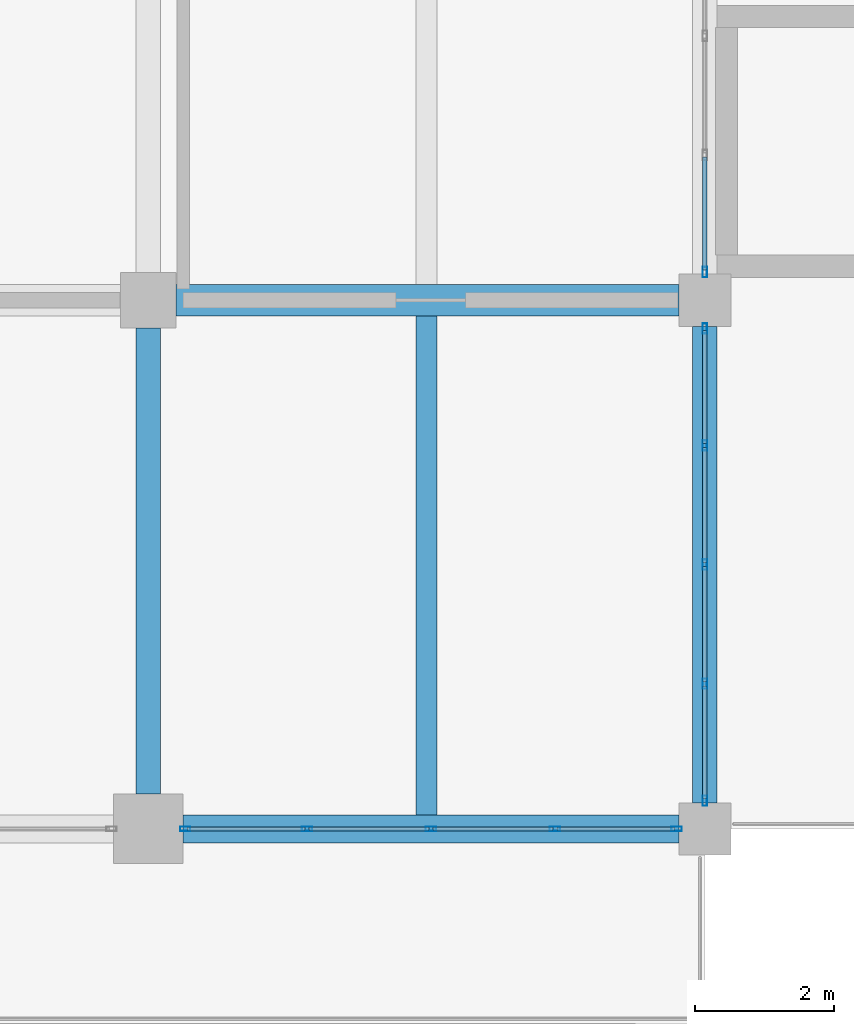
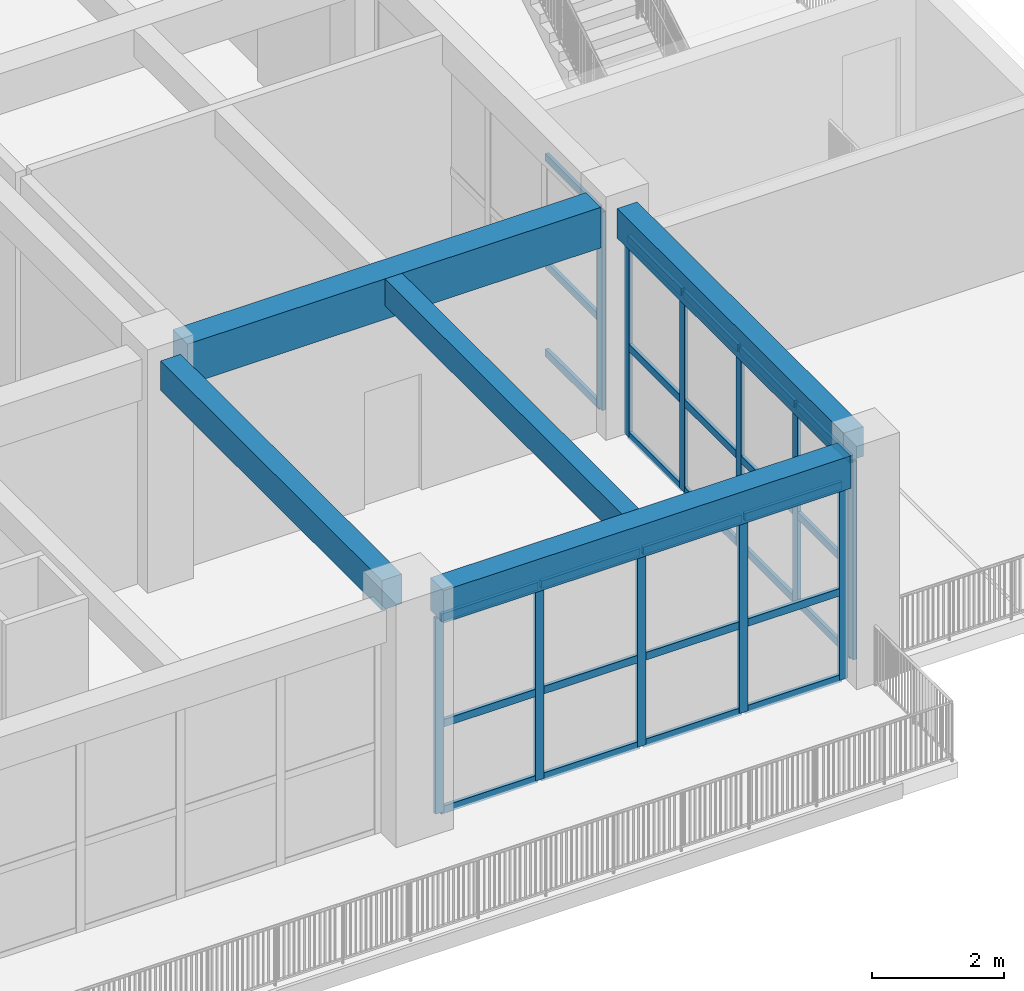
# One storey, part 27 of 79: 38 members, 5 beams, 3 elements without a shape of their own.
"""IFC4 building model written with IfcOpenShell, lengths in metres."""

from ifc_helpers import new_model, si_unit, direction, frame, origin, origin_2d, place, context, subcontext, project, spatial, rectangle, hollow_rectangle, extrude, material, material_profile, profile_set, type_object, element, aggregate, save


model = new_model("IFC4")

# Units and contexts
model_context = context("Model", 3, precision=1e-05, world=origin(), true_north=direction((0.0, 1.0)))
body_context = subcontext(model_context, "Body", "Model", "MODEL_VIEW")
ifc_project = project(units=[si_unit("LENGTHUNIT", "METRE"), si_unit("AREAUNIT", "SQUARE_METRE"), si_unit("VOLUMEUNIT", "CUBIC_METRE"), si_unit("PLANEANGLEUNIT", "RADIAN"), si_unit("MASSUNIT", "GRAM", prefix="KILO")], contexts=[model_context])

# Site, building, storey
site_placement = place(None, origin())
site = spatial("IfcSite", under=ifc_project, at=site_placement, CompositionType="ELEMENT")
building_placement = place(site_placement, origin())
building = spatial("IfcBuilding", under=site, at=building_placement, Name="Zantavel Square City Hall", CompositionType="ELEMENT")
storey_placement = place(building_placement, frame((0.0, 0.0, 10.199951171875)))
storey = spatial("IfcBuildingStorey", under=building, at=storey_placement, Name="L03", CompositionType="ELEMENT", Elevation=10.199951171875)

# Curtain wall, member
ifc_material_1 = material(Name="Anodised aluminium 6063-T6", Category="aluminium")
curtain_wall_type_1 = type_object("IfcCurtainWallType", Name="Curtain Wall TRV1 6850x3670", PredefinedType="USERDEFINED", material=ifc_material_1)
curtain_wall_1_placement = place(storey_placement, origin())
curtain_wall_1 = element("IfcCurtainWall", 1, at=curtain_wall_1_placement, inside=storey, type_object=curtain_wall_type_1, Name="L03 Glazed Curtain Wall CW-L03-092", ObjectType="GLAZED CURTAIN WALL", PredefinedType="USERDEFINED")
ifc_material_profile_1 = material_profile(ifc_material_1, hollow_rectangle(XDim=0.06494140625, YDim=0.14990234375, WallThickness=0.00390625, at=origin_2d()), Name="ALU 65x150x4")
ifc_profile_set_1 = profile_set([ifc_material_profile_1], Name="Anodised aluminium 6063-T6")
member_type_1 = type_object("IfcMemberType", Name="CW Mullion ALU 65x150x4", PredefinedType="MULLION", material=ifc_profile_set_1)
member_1_placement = place(storey_placement, frame((112.0, 38.405029296875, 0.0), z_axis=(0.0, 0.0, 1.0), x_axis=(1.0, 0.0, 0.0)))
member_1 = element("IfcMember", 2, at=member_1_placement, type_object=member_type_1, Name="CW-092 mullion 5", PredefinedType="MULLION", context=body_context, shape_type="SweptSolid", body=[
    extrude(hollow_rectangle(XDim=0.06494140625, YDim=0.14990234375, WallThickness=0.00390625, at=origin_2d()), origin(), (0.0, 0.0, 1.0), 3.670166015625),
])

# Curtain wall, members
curtain_wall_2_placement = place(storey_placement, origin())
curtain_wall_2 = element("IfcCurtainWall", 3, at=curtain_wall_2_placement, inside=storey, type_object=curtain_wall_type_1, Name="L03 Glazed Curtain Wall CW-L03-093", ObjectType="GLAZED CURTAIN WALL", PredefinedType="USERDEFINED")
member_2_placement = place(storey_placement, frame((112.0, 37.594970703125, 0.0), z_axis=(0.0, 0.0, 1.0), x_axis=(1.0, 0.0, 0.0)))
member_2 = element("IfcMember", 4, at=member_2_placement, type_object=member_type_1, Name="CW-093 mullion 1", PredefinedType="MULLION", context=body_context, shape_type="SweptSolid", body=[
    extrude(hollow_rectangle(XDim=0.06494140625, YDim=0.14990234375, WallThickness=0.00390625, at=origin_2d()), origin(), (0.0, 0.0, 1.0), 3.670166015625),
])
member_3_placement = place(storey_placement, frame((112.0, 35.91259765625, 0.0), z_axis=(0.0, 0.0, 1.0), x_axis=(1.0, 0.0, 0.0)))
member_3 = element("IfcMember", 5, at=member_3_placement, type_object=member_type_1, Name="CW-093 mullion 2", PredefinedType="MULLION", context=body_context, shape_type="SweptSolid", body=[
    extrude(hollow_rectangle(XDim=0.06494140625, YDim=0.14990234375, WallThickness=0.00390625, at=origin_2d()), origin(), (0.0, 0.0, 1.0), 3.670166015625),
])
member_4_placement = place(storey_placement, frame((112.0, 34.199951171875, 0.0), z_axis=(0.0, 0.0, 1.0), x_axis=(1.0, 0.0, 0.0)))
member_4 = element("IfcMember", 6, at=member_4_placement, type_object=member_type_1, Name="CW-093 mullion 3", PredefinedType="MULLION", context=body_context, shape_type="SweptSolid", body=[
    extrude(hollow_rectangle(XDim=0.06494140625, YDim=0.14990234375, WallThickness=0.00390625, at=origin_2d()), origin(), (0.0, 0.0, 1.0), 3.670166015625),
])
member_5_placement = place(storey_placement, frame((112.0, 32.487548828125, 0.0), z_axis=(0.0, 0.0, 1.0), x_axis=(1.0, 0.0, 0.0)))
member_5 = element("IfcMember", 7, at=member_5_placement, type_object=member_type_1, Name="CW-093 mullion 4", PredefinedType="MULLION", context=body_context, shape_type="SweptSolid", body=[
    extrude(hollow_rectangle(XDim=0.06494140625, YDim=0.14990234375, WallThickness=0.00390625, at=origin_2d()), origin(), (0.0, 0.0, 1.0), 3.670166015625),
])
member_6_placement = place(storey_placement, frame((112.0, 30.804931640625, 0.0), z_axis=(0.0, 0.0, 1.0), x_axis=(1.0, 0.0, 0.0)))
member_6 = element("IfcMember", 8, at=member_6_placement, type_object=member_type_1, Name="CW-093 mullion 5", PredefinedType="MULLION", context=body_context, shape_type="SweptSolid", body=[
    extrude(hollow_rectangle(XDim=0.06494140625, YDim=0.14990234375, WallThickness=0.00390625, at=origin_2d()), origin(), (0.0, 0.0, 1.0), 3.670166015625),
])

curtain_wall_type_2 = type_object("IfcCurtainWallType", Name="Curtain Wall TRV1 7125x3620", PredefinedType="USERDEFINED", material=ifc_material_1)
curtain_wall_3_placement = place(storey_placement, origin())
curtain_wall_3 = element("IfcCurtainWall", 9, at=curtain_wall_3_placement, inside=storey, type_object=curtain_wall_type_2, Name="L03 Glazed Curtain Wall CW-L03-094", ObjectType="GLAZED CURTAIN WALL", PredefinedType="USERDEFINED")
member_7_placement = place(storey_placement, frame((111.594970703125, 30.39990234375, 0.0), z_axis=(0.0, 0.0, 1.0), x_axis=(0.0, -1.0, 0.0)))
member_7 = element("IfcMember", 10, at=member_7_placement, type_object=member_type_1, Name="CW-094 mullion 1", PredefinedType="MULLION", context=body_context, shape_type="SweptSolid", body=[
    extrude(hollow_rectangle(XDim=0.06494140625, YDim=0.14990234375, WallThickness=0.00390625, at=origin_2d()), origin(), (0.0, 0.0, 1.0), 3.6201171875),
])
member_8_placement = place(storey_placement, frame((109.84375, 30.39990234375, 0.0), z_axis=(0.0, 0.0, 1.0), x_axis=(0.0, -1.0, 0.0)))
member_8 = element("IfcMember", 11, at=member_8_placement, type_object=member_type_1, Name="CW-094 mullion 2", PredefinedType="MULLION", context=body_context, shape_type="SweptSolid", body=[
    extrude(hollow_rectangle(XDim=0.06494140625, YDim=0.14990234375, WallThickness=0.00390625, at=origin_2d()), origin(), (0.0, 0.0, 1.0), 3.6201171875),
])
member_9_placement = place(storey_placement, frame((108.0625, 30.39990234375, 0.0), z_axis=(0.0, 0.0, 1.0), x_axis=(0.0, -1.0, 0.0)))
member_9 = element("IfcMember", 12, at=member_9_placement, type_object=member_type_1, Name="CW-094 mullion 3", PredefinedType="MULLION", context=body_context, shape_type="SweptSolid", body=[
    extrude(hollow_rectangle(XDim=0.06494140625, YDim=0.14990234375, WallThickness=0.00390625, at=origin_2d()), origin(), (0.0, 0.0, 1.0), 3.6201171875),
])
member_10_placement = place(storey_placement, frame((106.28125, 30.39990234375, 0.0), z_axis=(0.0, 0.0, 1.0), x_axis=(0.0, -1.0, 0.0)))
member_10 = element("IfcMember", 13, at=member_10_placement, type_object=member_type_1, Name="CW-094 mullion 4", PredefinedType="MULLION", context=body_context, shape_type="SweptSolid", body=[
    extrude(hollow_rectangle(XDim=0.06494140625, YDim=0.14990234375, WallThickness=0.00390625, at=origin_2d()), origin(), (0.0, 0.0, 1.0), 3.6201171875),
])
member_11_placement = place(storey_placement, frame((104.530029296875, 30.39990234375, 0.0), z_axis=(0.0, 0.0, 1.0), x_axis=(0.0, -1.0, 0.0)))
member_11 = element("IfcMember", 14, at=member_11_placement, type_object=member_type_1, Name="CW-094 mullion 5", PredefinedType="MULLION", context=body_context, shape_type="SweptSolid", body=[
    extrude(hollow_rectangle(XDim=0.06494140625, YDim=0.14990234375, WallThickness=0.00390625, at=origin_2d()), origin(), (0.0, 0.0, 1.0), 3.6201171875),
])

# Member
ifc_material_profile_2 = material_profile(ifc_material_1, hollow_rectangle(XDim=0.06005859375, YDim=0.139892578125, WallThickness=0.00390625, at=origin_2d()), Name="ALU 60x140x4")
ifc_profile_set_2 = profile_set([ifc_material_profile_2], Name="Anodised aluminium 6063-T6")
member_type_2 = type_object("IfcMemberType", Name="CW Transom ALU 60x140x4", PredefinedType="USERDEFINED", material=ifc_profile_set_2)
member_12_placement = place(storey_placement, frame((112.0, 40.0576171875, 0.030029296875), z_axis=(0.0, -1.0, 0.0), x_axis=(1.0, 0.0, 0.0)))
member_12 = element("IfcMember", 15, at=member_12_placement, type_object=member_type_2, Name="CW-092 transom 4.1", ObjectType="TRANSOM", PredefinedType="USERDEFINED", context=body_context, shape_type="SweptSolid", body=[
    extrude(hollow_rectangle(XDim=0.06005859375, YDim=0.139892578125, WallThickness=0.00390625, at=origin_2d()), origin(), (0.0, 0.0, 1.0), 1.62255859375),
])

member_13_placement = place(storey_placement, frame((112.0, 40.0576171875, 1.651123046875), z_axis=(0.0, -1.0, 0.0), x_axis=(1.0, 0.0, 0.0)))
member_13 = element("IfcMember", 16, at=member_13_placement, type_object=member_type_2, Name="CW-092 transom 4.2", ObjectType="TRANSOM", PredefinedType="USERDEFINED", context=body_context, shape_type="SweptSolid", body=[
    extrude(hollow_rectangle(XDim=0.06005859375, YDim=0.139892578125, WallThickness=0.00390625, at=origin_2d()), origin(), (0.0, 0.0, 1.0), 1.62255859375),
])

member_14_placement = place(storey_placement, frame((112.0, 40.0576171875, 3.64013671875), z_axis=(0.0, -1.0, 0.0), x_axis=(1.0, 0.0, 0.0)))
member_14 = element("IfcMember", 17, at=member_14_placement, type_object=member_type_2, Name="CW-092 transom 4.3", ObjectType="TRANSOM", PredefinedType="USERDEFINED", context=body_context, shape_type="SweptSolid", body=[
    extrude(hollow_rectangle(XDim=0.06005859375, YDim=0.139892578125, WallThickness=0.00390625, at=origin_2d()), origin(), (0.0, 0.0, 1.0), 1.62255859375),
])

aggregate(curtain_wall_1, [member_1, member_12, member_13, member_14])

member_15_placement = place(storey_placement, frame((112.0, 37.56494140625, 0.030029296875), z_axis=(0.0, -1.0, 0.0), x_axis=(1.0, 0.0, 0.0)))
member_15 = element("IfcMember", 18, at=member_15_placement, type_object=member_type_2, Name="CW-093 transom 1.1", ObjectType="TRANSOM", PredefinedType="USERDEFINED", context=body_context, shape_type="SweptSolid", body=[
    extrude(hollow_rectangle(XDim=0.06005859375, YDim=0.139892578125, WallThickness=0.00390625, at=origin_2d()), origin(), (0.0, 0.0, 1.0), 1.62255859375),
])

member_16_placement = place(storey_placement, frame((112.0, 37.56494140625, 1.651123046875), z_axis=(0.0, -1.0, 0.0), x_axis=(1.0, 0.0, 0.0)))
member_16 = element("IfcMember", 19, at=member_16_placement, type_object=member_type_2, Name="CW-093 transom 1.2", ObjectType="TRANSOM", PredefinedType="USERDEFINED", context=body_context, shape_type="SweptSolid", body=[
    extrude(hollow_rectangle(XDim=0.06005859375, YDim=0.139892578125, WallThickness=0.00390625, at=origin_2d()), origin(), (0.0, 0.0, 1.0), 1.62255859375),
])

member_17_placement = place(storey_placement, frame((112.0, 37.56494140625, 3.64013671875), z_axis=(0.0, -1.0, 0.0), x_axis=(1.0, 0.0, 0.0)))
member_17 = element("IfcMember", 20, at=member_17_placement, type_object=member_type_2, Name="CW-093 transom 1.3", ObjectType="TRANSOM", PredefinedType="USERDEFINED", context=body_context, shape_type="SweptSolid", body=[
    extrude(hollow_rectangle(XDim=0.06005859375, YDim=0.139892578125, WallThickness=0.00390625, at=origin_2d()), origin(), (0.0, 0.0, 1.0), 1.62255859375),
])

member_18_placement = place(storey_placement, frame((112.0, 35.882568359375, 0.030029296875), z_axis=(0.0, -1.0, 0.0), x_axis=(1.0, 0.0, 0.0)))
member_18 = element("IfcMember", 21, at=member_18_placement, type_object=member_type_2, Name="CW-093 transom 2.1", ObjectType="TRANSOM", PredefinedType="USERDEFINED", context=body_context, shape_type="SweptSolid", body=[
    extrude(hollow_rectangle(XDim=0.06005859375, YDim=0.139892578125, WallThickness=0.00390625, at=origin_2d()), origin(), (0.0, 0.0, 1.0), 1.652587890625),
])

member_19_placement = place(storey_placement, frame((112.0, 35.882568359375, 1.651123046875), z_axis=(0.0, -1.0, 0.0), x_axis=(1.0, 0.0, 0.0)))
member_19 = element("IfcMember", 22, at=member_19_placement, type_object=member_type_2, Name="CW-093 transom 2.2", ObjectType="TRANSOM", PredefinedType="USERDEFINED", context=body_context, shape_type="SweptSolid", body=[
    extrude(hollow_rectangle(XDim=0.06005859375, YDim=0.139892578125, WallThickness=0.00390625, at=origin_2d()), origin(), (0.0, 0.0, 1.0), 1.652587890625),
])

member_20_placement = place(storey_placement, frame((112.0, 35.882568359375, 3.64013671875), z_axis=(0.0, -1.0, 0.0), x_axis=(1.0, 0.0, 0.0)))
member_20 = element("IfcMember", 23, at=member_20_placement, type_object=member_type_2, Name="CW-093 transom 2.3", ObjectType="TRANSOM", PredefinedType="USERDEFINED", context=body_context, shape_type="SweptSolid", body=[
    extrude(hollow_rectangle(XDim=0.06005859375, YDim=0.139892578125, WallThickness=0.00390625, at=origin_2d()), origin(), (0.0, 0.0, 1.0), 1.652587890625),
])

member_21_placement = place(storey_placement, frame((112.0, 34.169921875, 0.030029296875), z_axis=(0.0, -1.0, 0.0), x_axis=(1.0, 0.0, 0.0)))
member_21 = element("IfcMember", 24, at=member_21_placement, type_object=member_type_2, Name="CW-093 transom 3.1", ObjectType="TRANSOM", PredefinedType="USERDEFINED", context=body_context, shape_type="SweptSolid", body=[
    extrude(hollow_rectangle(XDim=0.06005859375, YDim=0.139892578125, WallThickness=0.00390625, at=origin_2d()), origin(), (0.0, 0.0, 1.0), 1.65234375),
])

member_22_placement = place(storey_placement, frame((112.0, 34.169921875, 1.651123046875), z_axis=(0.0, -1.0, 0.0), x_axis=(1.0, 0.0, 0.0)))
member_22 = element("IfcMember", 25, at=member_22_placement, type_object=member_type_2, Name="CW-093 transom 3.2", ObjectType="TRANSOM", PredefinedType="USERDEFINED", context=body_context, shape_type="SweptSolid", body=[
    extrude(hollow_rectangle(XDim=0.06005859375, YDim=0.139892578125, WallThickness=0.00390625, at=origin_2d()), origin(), (0.0, 0.0, 1.0), 1.65234375),
])

member_23_placement = place(storey_placement, frame((112.0, 34.169921875, 3.64013671875), z_axis=(0.0, -1.0, 0.0), x_axis=(1.0, 0.0, 0.0)))
member_23 = element("IfcMember", 26, at=member_23_placement, type_object=member_type_2, Name="CW-093 transom 3.3", ObjectType="TRANSOM", PredefinedType="USERDEFINED", context=body_context, shape_type="SweptSolid", body=[
    extrude(hollow_rectangle(XDim=0.06005859375, YDim=0.139892578125, WallThickness=0.00390625, at=origin_2d()), origin(), (0.0, 0.0, 1.0), 1.65234375),
])

member_24_placement = place(storey_placement, frame((112.0, 32.45751953125, 0.030029296875), z_axis=(0.0, -1.0, 0.0), x_axis=(1.0, 0.0, 0.0)))
member_24 = element("IfcMember", 27, at=member_24_placement, type_object=member_type_2, Name="CW-093 transom 4.1", ObjectType="TRANSOM", PredefinedType="USERDEFINED", context=body_context, shape_type="SweptSolid", body=[
    extrude(hollow_rectangle(XDim=0.06005859375, YDim=0.139892578125, WallThickness=0.00390625, at=origin_2d()), origin(), (0.0, 0.0, 1.0), 1.62255859375),
])

member_25_placement = place(storey_placement, frame((112.0, 32.45751953125, 1.651123046875), z_axis=(0.0, -1.0, 0.0), x_axis=(1.0, 0.0, 0.0)))
member_25 = element("IfcMember", 28, at=member_25_placement, type_object=member_type_2, Name="CW-093 transom 4.2", ObjectType="TRANSOM", PredefinedType="USERDEFINED", context=body_context, shape_type="SweptSolid", body=[
    extrude(hollow_rectangle(XDim=0.06005859375, YDim=0.139892578125, WallThickness=0.00390625, at=origin_2d()), origin(), (0.0, 0.0, 1.0), 1.62255859375),
])

member_26_placement = place(storey_placement, frame((112.0, 32.45751953125, 3.64013671875), z_axis=(0.0, -1.0, 0.0), x_axis=(1.0, 0.0, 0.0)))
member_26 = element("IfcMember", 29, at=member_26_placement, type_object=member_type_2, Name="CW-093 transom 4.3", ObjectType="TRANSOM", PredefinedType="USERDEFINED", context=body_context, shape_type="SweptSolid", body=[
    extrude(hollow_rectangle(XDim=0.06005859375, YDim=0.139892578125, WallThickness=0.00390625, at=origin_2d()), origin(), (0.0, 0.0, 1.0), 1.62255859375),
])

aggregate(curtain_wall_2, [member_2, member_3, member_4, member_5, member_6, member_15, member_16, member_17, member_18, member_19, member_20, member_21, member_22, member_23, member_24, member_25, member_26])

member_27_placement = place(storey_placement, frame((111.56494140625, 30.39990234375, 0.030029296875), z_axis=(-1.0, 0.0, 0.0), x_axis=(0.0, -1.0, 0.0)))
member_27 = element("IfcMember", 30, at=member_27_placement, type_object=member_type_2, Name="CW-094 transom 1.1", ObjectType="TRANSOM", PredefinedType="USERDEFINED", context=body_context, shape_type="SweptSolid", body=[
    extrude(hollow_rectangle(XDim=0.06005859375, YDim=0.139892578125, WallThickness=0.00390625, at=origin_2d()), origin(), (0.0, 0.0, 1.0), 1.691162109375),
])

member_28_placement = place(storey_placement, frame((111.56494140625, 30.39990234375, 1.629150390625), z_axis=(-1.0, 0.0, 0.0), x_axis=(0.0, -1.0, 0.0)))
member_28 = element("IfcMember", 31, at=member_28_placement, type_object=member_type_2, Name="CW-094 transom 1.2", ObjectType="TRANSOM", PredefinedType="USERDEFINED", context=body_context, shape_type="SweptSolid", body=[
    extrude(hollow_rectangle(XDim=0.06005859375, YDim=0.139892578125, WallThickness=0.00390625, at=origin_2d()), origin(), (0.0, 0.0, 1.0), 1.691162109375),
])

member_29_placement = place(storey_placement, frame((111.56494140625, 30.39990234375, 3.590087890625), z_axis=(-1.0, 0.0, 0.0), x_axis=(0.0, -1.0, 0.0)))
member_29 = element("IfcMember", 32, at=member_29_placement, type_object=member_type_2, Name="CW-094 transom 1.3", ObjectType="TRANSOM", PredefinedType="USERDEFINED", context=body_context, shape_type="SweptSolid", body=[
    extrude(hollow_rectangle(XDim=0.06005859375, YDim=0.139892578125, WallThickness=0.00390625, at=origin_2d()), origin(), (0.0, 0.0, 1.0), 1.691162109375),
])

member_30_placement = place(storey_placement, frame((109.813720703125, 30.39990234375, 0.030029296875), z_axis=(-1.0, 0.0, 0.0), x_axis=(0.0, -1.0, 0.0)))
member_30 = element("IfcMember", 33, at=member_30_placement, type_object=member_type_2, Name="CW-094 transom 2.1", ObjectType="TRANSOM", PredefinedType="USERDEFINED", context=body_context, shape_type="SweptSolid", body=[
    extrude(hollow_rectangle(XDim=0.06005859375, YDim=0.139892578125, WallThickness=0.00390625, at=origin_2d()), origin(), (0.0, 0.0, 1.0), 1.72119140625),
])

member_31_placement = place(storey_placement, frame((109.813720703125, 30.39990234375, 1.629150390625), z_axis=(-1.0, 0.0, 0.0), x_axis=(0.0, -1.0, 0.0)))
member_31 = element("IfcMember", 34, at=member_31_placement, type_object=member_type_2, Name="CW-094 transom 2.2", ObjectType="TRANSOM", PredefinedType="USERDEFINED", context=body_context, shape_type="SweptSolid", body=[
    extrude(hollow_rectangle(XDim=0.06005859375, YDim=0.139892578125, WallThickness=0.00390625, at=origin_2d()), origin(), (0.0, 0.0, 1.0), 1.72119140625),
])

member_32_placement = place(storey_placement, frame((109.813720703125, 30.39990234375, 3.590087890625), z_axis=(-1.0, 0.0, 0.0), x_axis=(0.0, -1.0, 0.0)))
member_32 = element("IfcMember", 35, at=member_32_placement, type_object=member_type_2, Name="CW-094 transom 2.3", ObjectType="TRANSOM", PredefinedType="USERDEFINED", context=body_context, shape_type="SweptSolid", body=[
    extrude(hollow_rectangle(XDim=0.06005859375, YDim=0.139892578125, WallThickness=0.00390625, at=origin_2d()), origin(), (0.0, 0.0, 1.0), 1.72119140625),
])

member_33_placement = place(storey_placement, frame((108.032470703125, 30.39990234375, 0.030029296875), z_axis=(-1.0, 0.0, 0.0), x_axis=(0.0, -1.0, 0.0)))
member_33 = element("IfcMember", 36, at=member_33_placement, type_object=member_type_2, Name="CW-094 transom 3.1", ObjectType="TRANSOM", PredefinedType="USERDEFINED", context=body_context, shape_type="SweptSolid", body=[
    extrude(hollow_rectangle(XDim=0.06005859375, YDim=0.139892578125, WallThickness=0.00390625, at=origin_2d()), origin(), (0.0, 0.0, 1.0), 1.72119140625),
])

member_34_placement = place(storey_placement, frame((108.032470703125, 30.39990234375, 1.629150390625), z_axis=(-1.0, 0.0, 0.0), x_axis=(0.0, -1.0, 0.0)))
member_34 = element("IfcMember", 37, at=member_34_placement, type_object=member_type_2, Name="CW-094 transom 3.2", ObjectType="TRANSOM", PredefinedType="USERDEFINED", context=body_context, shape_type="SweptSolid", body=[
    extrude(hollow_rectangle(XDim=0.06005859375, YDim=0.139892578125, WallThickness=0.00390625, at=origin_2d()), origin(), (0.0, 0.0, 1.0), 1.72119140625),
])

member_35_placement = place(storey_placement, frame((108.032470703125, 30.39990234375, 3.590087890625), z_axis=(-1.0, 0.0, 0.0), x_axis=(0.0, -1.0, 0.0)))
member_35 = element("IfcMember", 38, at=member_35_placement, type_object=member_type_2, Name="CW-094 transom 3.3", ObjectType="TRANSOM", PredefinedType="USERDEFINED", context=body_context, shape_type="SweptSolid", body=[
    extrude(hollow_rectangle(XDim=0.06005859375, YDim=0.139892578125, WallThickness=0.00390625, at=origin_2d()), origin(), (0.0, 0.0, 1.0), 1.72119140625),
])

member_36_placement = place(storey_placement, frame((106.251220703125, 30.39990234375, 0.030029296875), z_axis=(-1.0, 0.0, 0.0), x_axis=(0.0, -1.0, 0.0)))
member_36 = element("IfcMember", 39, at=member_36_placement, type_object=member_type_2, Name="CW-094 transom 4.1", ObjectType="TRANSOM", PredefinedType="USERDEFINED", context=body_context, shape_type="SweptSolid", body=[
    extrude(hollow_rectangle(XDim=0.06005859375, YDim=0.139892578125, WallThickness=0.00390625, at=origin_2d()), origin(), (0.0, 0.0, 1.0), 1.691162109375),
])

member_37_placement = place(storey_placement, frame((106.251220703125, 30.39990234375, 1.629150390625), z_axis=(-1.0, 0.0, 0.0), x_axis=(0.0, -1.0, 0.0)))
member_37 = element("IfcMember", 40, at=member_37_placement, type_object=member_type_2, Name="CW-094 transom 4.2", ObjectType="TRANSOM", PredefinedType="USERDEFINED", context=body_context, shape_type="SweptSolid", body=[
    extrude(hollow_rectangle(XDim=0.06005859375, YDim=0.139892578125, WallThickness=0.00390625, at=origin_2d()), origin(), (0.0, 0.0, 1.0), 1.691162109375),
])

member_38_placement = place(storey_placement, frame((106.251220703125, 30.39990234375, 3.590087890625), z_axis=(-1.0, 0.0, 0.0), x_axis=(0.0, -1.0, 0.0)))
member_38 = element("IfcMember", 41, at=member_38_placement, type_object=member_type_2, Name="CW-094 transom 4.3", ObjectType="TRANSOM", PredefinedType="USERDEFINED", context=body_context, shape_type="SweptSolid", body=[
    extrude(hollow_rectangle(XDim=0.06005859375, YDim=0.139892578125, WallThickness=0.00390625, at=origin_2d()), origin(), (0.0, 0.0, 1.0), 1.691162109375),
])

aggregate(curtain_wall_3, [member_7, member_8, member_9, member_10, member_11, member_27, member_28, member_29, member_30, member_31, member_32, member_33, member_34, member_35, member_36, member_37, member_38])

# Beams
ifc_material_2 = material(Name="Concrete C35/45", Category="concrete")
ifc_material_profile_3 = material_profile(ifc_material_2, rectangle(XDim=0.300048828125, YDim=0.5, at=origin_2d()), Name="RC 300x500")
ifc_profile_set_3 = profile_set([ifc_material_profile_3], Name="Concrete C35/45")
beam_type_1 = type_object("IfcBeamType", Name="Floor Joist RC 300x500 C35/45", PredefinedType="JOIST", material=ifc_profile_set_3)
beam_1_placement = place(storey_placement, frame((108.0, 30.60009765625, 3.969970703125), z_axis=(0.0, 1.0, 0.0), x_axis=(-1.0, 0.0, 0.0)))
element("IfcBeam", 42, at=beam_1_placement, inside=storey, type_object=beam_type_1, Name="L03 Floor Joist JST-L03-1080-0304", PredefinedType="JOIST", context=body_context, shape_type="SweptSolid", body=[
    extrude(rectangle(XDim=0.300048828125, YDim=0.5, at=origin_2d()), origin(), (0.0, 0.0, 1.0), 7.1748046875),
])
ifc_material_profile_4 = material_profile(ifc_material_2, rectangle(XDim=0.39990234375, YDim=0.60009765625, at=origin_2d()), Name="RC 400x600")
ifc_profile_set_4 = profile_set([ifc_material_profile_4], Name="Concrete C35/45")
beam_type_2 = type_object("IfcBeamType", Name="Perimeter Spandrel RC 400x600 C35/45", PredefinedType="SPANDREL", material=ifc_profile_set_4)
beam_2_placement = place(storey_placement, frame((104.5, 30.39990234375, 3.920166015625), z_axis=(1.0, 0.0, 0.0), x_axis=(0.0, 1.0, 0.0)))
element("IfcBeam", 43, at=beam_2_placement, inside=storey, type_object=beam_type_2, Name="L03 Girder BMX-L03-1040-0304", PredefinedType="SPANDREL", context=body_context, shape_type="SweptSolid", body=[
    extrude(rectangle(XDim=0.39990234375, YDim=0.60009765625, at=origin_2d()), origin(), (0.0, 0.0, 1.0), 7.125),
])
ifc_material_profile_5 = material_profile(ifc_material_2, rectangle(XDim=0.449951171875, YDim=0.75, at=origin_2d()), Name="RC 450x750")
ifc_profile_set_5 = profile_set([ifc_material_profile_5], Name="Concrete C35/45")
beam_type_3 = type_object("IfcBeamType", Name="Primary Girder RC 450x750 C35/45", PredefinedType="BEAM", material=ifc_profile_set_5)
beam_3_placement = place(storey_placement, frame((104.39990234375, 38.0, 3.844970703125), z_axis=(1.0, 0.0, 0.0), x_axis=(0.0, 1.0, 0.0)))
element("IfcBeam", 44, at=beam_3_placement, inside=storey, type_object=beam_type_3, Name="L03 Girder BMX-L03-1040-0380", PredefinedType="BEAM", context=body_context, shape_type="SweptSolid", body=[
    extrude(rectangle(XDim=0.449951171875, YDim=0.75, at=origin_2d()), origin(), (0.0, 0.0, 1.0), 7.22509765625),
])
ifc_material_profile_6 = material_profile(ifc_material_2, rectangle(XDim=0.35009765625, YDim=0.550048828125, at=origin_2d()), Name="RC 350x550")
ifc_profile_set_6 = profile_set([ifc_material_profile_6], Name="Concrete C35/45")
beam_type_4 = type_object("IfcBeamType", Name="Secondary Beam RC 350x550 C35/45", PredefinedType="BEAM", material=ifc_profile_set_6)
beam_4_placement = place(storey_placement, frame((104.0, 30.89990234375, 3.945068359375), z_axis=(0.0, 1.0, 0.0), x_axis=(-1.0, 0.0, 0.0)))
element("IfcBeam", 45, at=beam_4_placement, inside=storey, type_object=beam_type_4, Name="L03 Beam BMY-L03-1040-0304", PredefinedType="BEAM", context=body_context, shape_type="SweptSolid", body=[
    extrude(rectangle(XDim=0.35009765625, YDim=0.550048828125, at=origin_2d()), origin(), (0.0, 0.0, 1.0), 6.7001953125),
])
beam_5_placement = place(storey_placement, frame((112.0, 30.77490234375, 3.945068359375), z_axis=(0.0, 1.0, 0.0), x_axis=(-1.0, 0.0, 0.0)))
element("IfcBeam", 46, at=beam_5_placement, inside=storey, type_object=beam_type_4, Name="L03 Beam BMY-L03-1120-0304", PredefinedType="BEAM", context=body_context, shape_type="SweptSolid", body=[
    extrude(rectangle(XDim=0.35009765625, YDim=0.550048828125, at=origin_2d()), origin(), (0.0, 0.0, 1.0), 6.85009765625),
])

save(model, "model.ifc")
